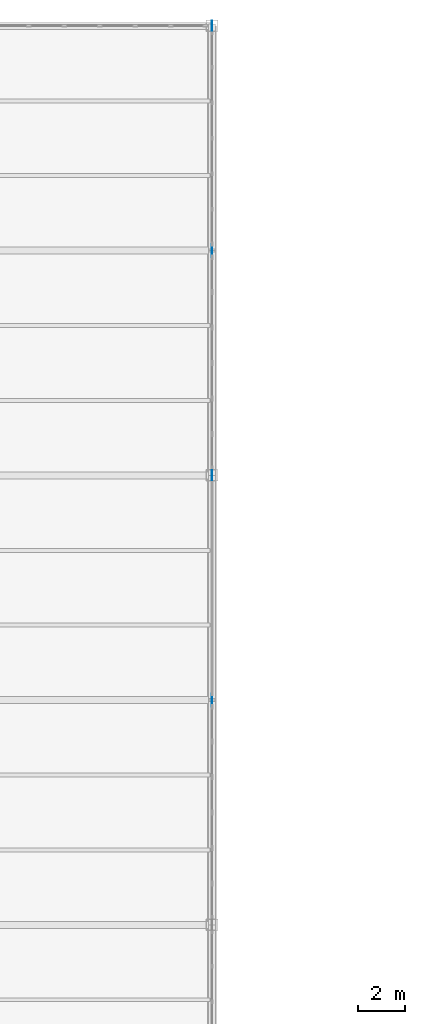
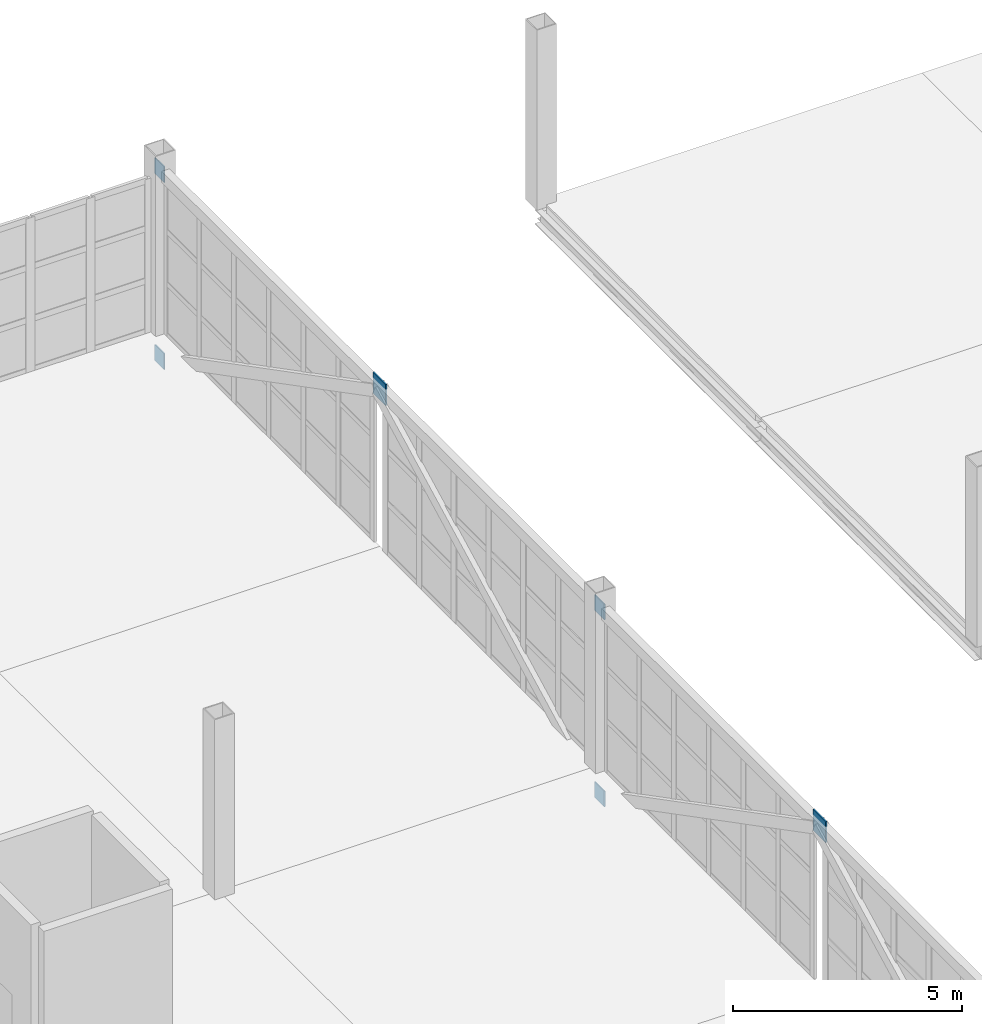
# One storey, part 104 of 120: 6 plates.
"""IFC4 building model written with IfcOpenShell, lengths in metres."""

from ifc_helpers import new_model, si_unit, direction, frame, origin, origin_2d, place, context, subcontext, project, spatial, rectangle, extrude, material, layer, layer_set, type_object, element, save


model = new_model("IFC4")

# Units and contexts
model_context = context("Model", 3, precision=1e-05, world=origin(), true_north=direction((0.0, 1.0)))
body_context = subcontext(model_context, "Body", "Model", "MODEL_VIEW")
ifc_project = project(units=[si_unit("LENGTHUNIT", "METRE"), si_unit("AREAUNIT", "SQUARE_METRE"), si_unit("VOLUMEUNIT", "CUBIC_METRE"), si_unit("PLANEANGLEUNIT", "RADIAN"), si_unit("MASSUNIT", "GRAM", prefix="KILO")], contexts=[model_context])

# Site, building, storey
site_placement = place(None, origin())
site = spatial("IfcSite", under=ifc_project, at=site_placement, CompositionType="ELEMENT")
building_placement = place(site_placement, origin())
building = spatial("IfcBuilding", under=site, at=building_placement, Name="Zarnetskaya Central Station", CompositionType="ELEMENT")
storey_placement = place(building_placement, frame((0.0, 0.0, 5.39990234375)))
storey = spatial("IfcBuildingStorey", under=building, at=storey_placement, Name="L01", CompositionType="ELEMENT", Elevation=5.39990234375)

# Plates
ifc_material = material(Name="Steel S355", Category="steel")
ifc_layer_1 = layer(ifc_material, 0.028076171875, Name="Steel S355", Category="steel")
ifc_layer_set_1 = layer_set([ifc_layer_1], Name="Steel S355")
plate_type_1 = type_object("IfcPlateType", Name="ND-GUSSET-28", PredefinedType="USERDEFINED", material=ifc_layer_set_1)
for number, where, z_axis, x_axis, name in (
    (1, (115.199951171875, 105.60009765625, 3.990234375), (0.0, 0.0, 1.0), (1.0, 0.0, 0.0), "Structural member end gusset plate 109"),
    (2, (115.199951171875, 105.60009765625, -0.98974609375), (0.0, 0.0, 1.0), (1.0, 0.0, 0.0), "Structural member end gusset plate 110"),
    (3, (115.199951171875, 124.800048828125, 3.990234375), (0.0, 0.0, 1.0), (1.0, 0.0, 0.0), "Structural member end gusset plate 111"),
    (4, (115.199951171875, 124.800048828125, -0.98974609375), (0.0, 0.0, 1.0), (1.0, 0.0, 0.0), "Structural member end gusset plate 112"),
):
    element("IfcPlate", number, at=place(storey_placement, frame(where, z_axis=z_axis, x_axis=x_axis)), inside=storey, type_object=plate_type_1, Name=name, ObjectType="GUSSET PLATE", PredefinedType="USERDEFINED", context=body_context, shape_type="SweptSolid", body=[
        extrude(rectangle(XDim=0.028076171875, YDim=0.419921875, at=origin_2d()), origin(), (0.0, 0.0, 1.0), 0.419921875),
    ])
ifc_layer_2 = layer(ifc_material, 0.035888671875, Name="Steel S355", Category="steel")
ifc_layer_set_2 = layer_set([ifc_layer_2], Name="Steel S355")
plate_type_2 = type_object("IfcPlateType", Name="ND-GUSSET-36", PredefinedType="USERDEFINED", material=ifc_layer_set_2)
for number, where, z_axis, x_axis, name in (
    (5, (115.199951171875, 96.0, 3.920166015625), (0.0, 0.0, 1.0), (1.0, 0.0, 0.0), "Transfer truss N 11-13 node gusset plate"),
    (6, (115.199951171875, 115.199951171875, 3.920166015625), (0.0, 0.0, 1.0), (1.0, 0.0, 0.0), "Transfer truss N 13-15 node gusset plate"),
):
    element("IfcPlate", number, at=place(storey_placement, frame(where, z_axis=z_axis, x_axis=x_axis)), inside=storey, type_object=plate_type_2, Name=name, ObjectType="GUSSET PLATE", PredefinedType="USERDEFINED", context=body_context, shape_type="SweptSolid", body=[
        extrude(rectangle(XDim=0.035888671875, YDim=0.56005859375, at=origin_2d()), origin(), (0.0, 0.0, 1.0), 0.56005859375),
    ])

save(model, "model.ifc")
